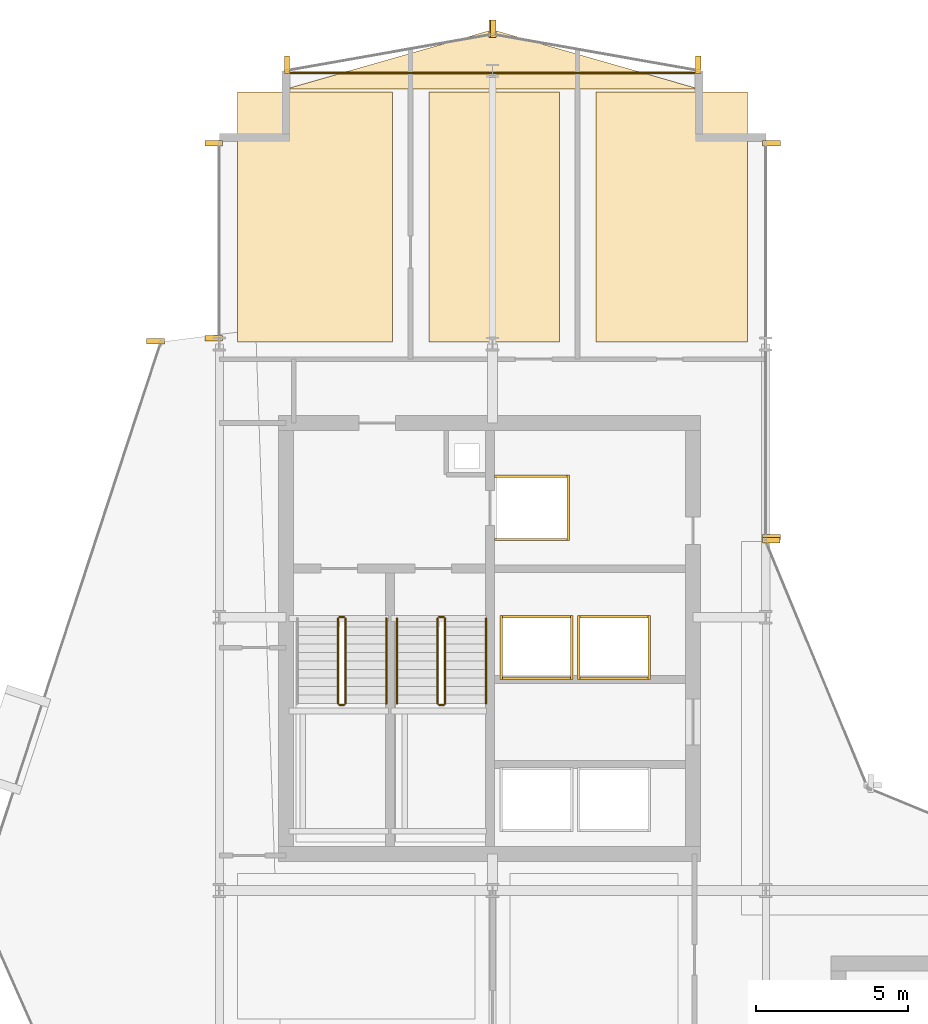
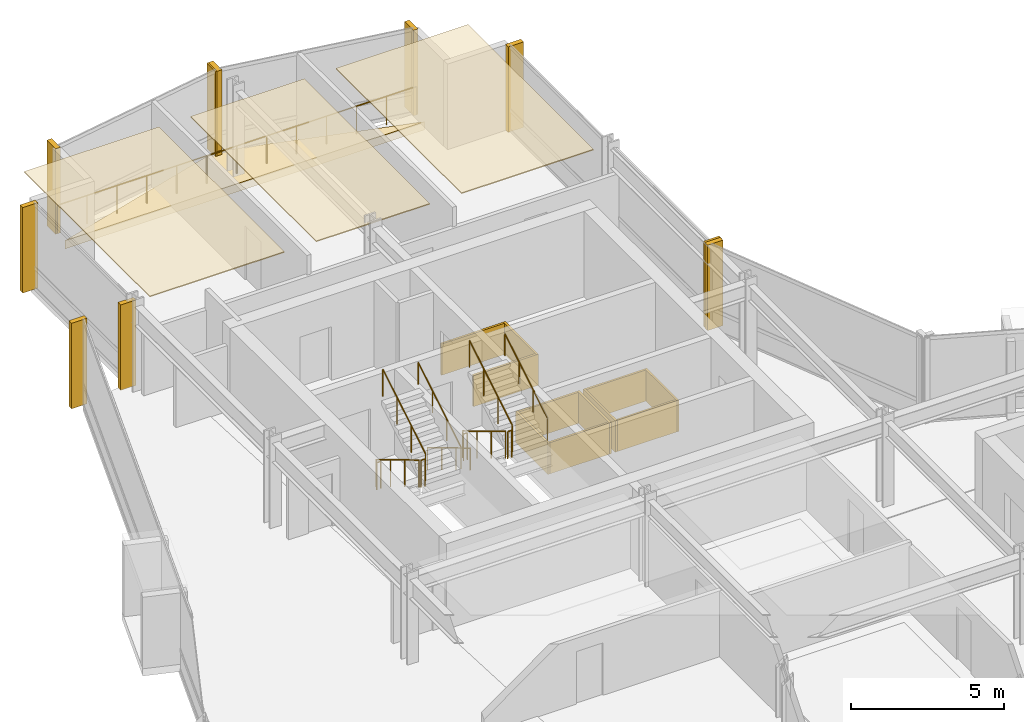
# One storey, part 28 of 28: 25 coverings, 12 railings.
"""IFC4 building model written with IfcOpenShell, lengths in metres."""

from ifc_helpers import new_model, si_unit, direction, frame, origin, origin_2d, place, context, subcontext, project, spatial, polyline, rectangle, circle, outline, extrude, material, layer, layer_set, type_object, element, save


model = new_model("IFC4")

# Units and contexts
model_context = context("Model", 3, precision=1e-05, world=origin(), true_north=direction((0.0, 1.0)))
body_context = subcontext(model_context, "Body", "Model", "MODEL_VIEW")
ifc_project = project(units=[si_unit("LENGTHUNIT", "METRE"), si_unit("AREAUNIT", "SQUARE_METRE"), si_unit("VOLUMEUNIT", "CUBIC_METRE"), si_unit("PLANEANGLEUNIT", "RADIAN"), si_unit("MASSUNIT", "GRAM", prefix="KILO")], contexts=[model_context])

# Site, building, storey
site_placement = place(None, origin())
site = spatial("IfcSite", under=ifc_project, at=site_placement, CompositionType="ELEMENT")
building_placement = place(site_placement, origin())
building = spatial("IfcBuilding", under=site, at=building_placement, Name="Solvaryn Broadcast Tower", CompositionType="ELEMENT")
storey_placement = place(building_placement, frame((0.0, 0.0, 135.89990234375)))
storey = spatial("IfcBuildingStorey", under=building, at=storey_placement, Name="L33", CompositionType="ELEMENT", Elevation=135.89990234375)

# Coverings
ifc_material_1 = material(Name="Micro-Perforated Acoustic Gypsum Ceiling", Category="concrete")
ifc_layer_1 = layer(ifc_material_1, 0.0400390625)
ifc_layer_set_1 = layer_set([ifc_layer_1], Name="CV-CEIL-ACOUSTIC")
covering_type_1 = type_object("IfcCoveringType", Name="CV-CEIL-ACOUSTIC", PredefinedType="CEILING", material=ifc_layer_set_1)
covering_1_placement = place(storey_placement, frame((0.0, 0.0, 3.380126953125)))
element("IfcCovering", 1, at=covering_1_placement, inside=storey, type_object=covering_type_1, Name="L33 Room Acoustic Ceiling 8", PredefinedType="CEILING", context=body_context, shape_type="SweptSolid", body=[
    extrude(outline(polyline([(9.60009765625, 45.070068359375), (14.699951171875, 45.070068359375), (14.699951171875, 53.300048828125), (9.60009765625, 53.300048828125), (9.60009765625, 45.070068359375)])), origin(), (0.0, 0.0, 1.0), 0.0400390625),
])
covering_2_placement = place(storey_placement, frame((0.0, 0.0, 3.380126953125)))
element("IfcCovering", 2, at=covering_2_placement, inside=storey, type_object=covering_type_1, Name="L33 Room Acoustic Ceiling 9", PredefinedType="CEILING", context=body_context, shape_type="SweptSolid", body=[
    extrude(outline(polyline([(15.89990234375, 45.070068359375), (20.199951171875, 45.070068359375), (20.199951171875, 53.300048828125), (15.89990234375, 53.300048828125), (15.89990234375, 45.070068359375)])), origin(), (0.0, 0.0, 1.0), 0.0400390625),
])
covering_3_placement = place(storey_placement, frame((0.0, 0.0, 3.380126953125)))
element("IfcCovering", 3, at=covering_3_placement, inside=storey, type_object=covering_type_1, Name="L33 Room Acoustic Ceiling 10", PredefinedType="CEILING", context=body_context, shape_type="SweptSolid", body=[
    extrude(outline(polyline([(21.39990234375, 45.070068359375), (26.39990234375, 45.070068359375), (26.39990234375, 53.300048828125), (21.39990234375, 53.300048828125), (21.39990234375, 45.070068359375)])), origin(), (0.0, 0.0, 1.0), 0.0400390625),
])
ifc_material_2 = material(Name="Fire-Rated Gypsum Shaftwall Liner", Category="concrete")
ifc_layer_2 = layer(ifc_material_2, 0.080078125)
ifc_layer_set_2 = layer_set([ifc_layer_2], Name="CV-SHAFT-LINER")
covering_type_2 = type_object("IfcCoveringType", Name="CV-SHAFT-LINER", PredefinedType="CLADDING", material=ifc_layer_set_2)
for number, where, z_axis, x_axis, name in (
    (4, (19.300048828125, 40.639892578125, 0.0), (0.0, 0.0, 1.0), (1.0, 0.0, 0.0), "L33 FL1 Hoistway Shaft Liner North"),
    (5, (19.300048828125, 38.56005859375, 0.0), (0.0, 0.0, 1.0), (1.0, 0.0, 0.0), "L33 FL1 Hoistway Shaft Liner South"),
):
    element("IfcCovering", number, at=place(storey_placement, frame(where, z_axis=z_axis, x_axis=x_axis)), inside=storey, type_object=covering_type_2, Name=name, PredefinedType="CLADDING", context=body_context, shape_type="SweptSolid", body=[
        extrude(rectangle(XDim=2.4599609375, YDim=0.080078125, at=origin_2d()), origin(), (0.0, 0.0, 1.0), 1.25),
    ])
covering_4_placement = place(storey_placement, frame((20.489990234375, 39.60009765625, 0.0), z_axis=(0.0, 0.0, 1.0), x_axis=(1.0, 0.0, 0.0)))
element("IfcCovering", 6, at=covering_4_placement, inside=storey, type_object=covering_type_2, Name="L33 FL1 Hoistway Shaft Liner East", PredefinedType="CLADDING", context=body_context, shape_type="SweptSolid", body=[
    extrude(rectangle(XDim=0.080078125, YDim=2.159912109375, at=origin_2d()), origin(), (0.0, 0.0, 1.0), 1.25),
])
for number, where, z_axis, x_axis, name in (
    (7, (19.449951171875, 36.014892578125, 0.0), (0.0, 0.0, 1.0), (1.0, 0.0, 0.0), "L33 PH3 Hoistway Shaft Liner North"),
    (8, (19.449951171875, 33.985107421875, 0.0), (0.0, 0.0, 1.0), (1.0, 0.0, 0.0), "L33 PH3 Hoistway Shaft Liner South"),
):
    element("IfcCovering", number, at=place(storey_placement, frame(where, z_axis=z_axis, x_axis=x_axis)), inside=storey, type_object=covering_type_2, Name=name, PredefinedType="CLADDING", context=body_context, shape_type="SweptSolid", body=[
        extrude(rectangle(XDim=2.409912109375, YDim=0.080078125, at=origin_2d()), origin(), (0.0, 0.0, 1.0), 1.25),
    ])
for number, where, z_axis, x_axis, name in (
    (9, (20.614990234375, 35.0, 0.0), (0.0, 0.0, 1.0), (1.0, 0.0, 0.0), "L33 PH3 Hoistway Shaft Liner East"),
    (10, (18.284912109375, 35.0, 0.0), (0.0, 0.0, 1.0), (1.0, 0.0, 0.0), "L33 PH3 Hoistway Shaft Liner West"),
):
    element("IfcCovering", number, at=place(storey_placement, frame(where, z_axis=z_axis, x_axis=x_axis)), inside=storey, type_object=covering_type_2, Name=name, PredefinedType="CLADDING", context=body_context, shape_type="SweptSolid", body=[
        extrude(rectangle(XDim=0.080078125, YDim=2.110107421875, at=origin_2d()), origin(), (0.0, 0.0, 1.0), 1.25),
    ])
for number, where, z_axis, x_axis, name in (
    (11, (22.0, 36.014892578125, 0.0), (0.0, 0.0, 1.0), (1.0, 0.0, 0.0), "L33 PH4 Hoistway Shaft Liner North"),
    (12, (22.0, 33.985107421875, 0.0), (0.0, 0.0, 1.0), (1.0, 0.0, 0.0), "L33 PH4 Hoistway Shaft Liner South"),
):
    element("IfcCovering", number, at=place(storey_placement, frame(where, z_axis=z_axis, x_axis=x_axis)), inside=storey, type_object=covering_type_2, Name=name, PredefinedType="CLADDING", context=body_context, shape_type="SweptSolid", body=[
        extrude(rectangle(XDim=2.409912109375, YDim=0.080078125, at=origin_2d()), origin(), (0.0, 0.0, 1.0), 1.25),
    ])
for number, where, z_axis, x_axis, name in (
    (13, (23.1650390625, 35.0, 0.0), (0.0, 0.0, 1.0), (1.0, 0.0, 0.0), "L33 PH4 Hoistway Shaft Liner East"),
    (14, (20.8349609375, 35.0, 0.0), (0.0, 0.0, 1.0), (1.0, 0.0, 0.0), "L33 PH4 Hoistway Shaft Liner West"),
):
    element("IfcCovering", number, at=place(storey_placement, frame(where, z_axis=z_axis, x_axis=x_axis)), inside=storey, type_object=covering_type_2, Name=name, PredefinedType="CLADDING", context=body_context, shape_type="SweptSolid", body=[
        extrude(rectangle(XDim=0.080078125, YDim=2.110107421875, at=origin_2d()), origin(), (0.0, 0.0, 1.0), 1.25),
    ])
ifc_material_3 = material(Name="Extruded Architectural Terracotta Fin", Category="masonry")
ifc_layer_3 = layer(ifc_material_3, 0.179931640625)
ifc_layer_set_3 = layer_set([ifc_layer_3], Name="CV-TC-FIN")
covering_type_3 = type_object("IfcCoveringType", Name="CV-TC-FIN", PredefinedType="USERDEFINED", material=ifc_layer_set_3)
for number, where, z_axis, x_axis, name in (
    (15, (6.898681640625, 45.0947265625, 0.000244140625), (0.0, 0.0, 1.0), (1.0, 0.0, 0.0), "L33 Terracotta Vertical Fin FIN-L33-DR1-M00"),
    (16, (8.8125, 45.197021484375, 0.000244140625), (0.0, 0.0, 1.0), (1.0, 0.0, 0.0), "L33 Terracotta Vertical Fin FIN-L33-W2-M00"),
    (17, (8.8125, 51.6201171875, 0.000244140625), (0.0, 0.0, 1.0), (1.0, 0.0, 0.0), "L33 Terracotta Vertical Fin FIN-L33-W2-M01"),
    (18, (27.1875, 51.6201171875, 0.000244140625), (0.0, 0.0, 1.0), (1.0, 0.0, 0.0), "L33 Terracotta Vertical Fin FIN-L33-IV-M00"),
    (19, (27.1875, 38.6298828125, 0.000244140625), (0.0, 0.0, 1.0), (1.0, 0.0, 0.0), "L33 Terracotta Vertical Fin FIN-L33-IV-M01"),
    (20, (27.177978515625, 38.541259765625, 0.000244140625), (0.0, 0.0, 1.0), (1.0, 0.0, 0.0), "L33 Terracotta Vertical Fin FIN-L33-CN2-M01"),
):
    element("IfcCovering", number, at=place(storey_placement, frame(where, z_axis=z_axis, x_axis=x_axis)), inside=storey, type_object=covering_type_3, Name=name, ObjectType="FIN", PredefinedType="USERDEFINED", context=body_context, shape_type="SweptSolid", body=[
        extrude(rectangle(XDim=0.580078125, YDim=0.179931640625, at=origin_2d()), origin(), (0.0, 0.0, 1.0), 3.419921875),
    ])
for number, where, z_axis, x_axis, name in (
    (21, (24.7705078125, 54.192626953125, 0.000244140625), (0.0, 0.0, 1.0), (1.0, 0.0, 0.0), "L33 Terracotta Vertical Fin FIN-L33-NT1-M00"),
    (22, (18.029541015625, 55.38232421875, 0.000244140625), (0.0, 0.0, 1.0), (1.0, 0.0, 0.0), "L33 Terracotta Vertical Fin FIN-L33-NT1-M01"),
    (23, (17.970458984375, 55.38232421875, 0.000244140625), (0.0, 0.0, 1.0), (1.0, 0.0, 0.0), "L33 Terracotta Vertical Fin FIN-L33-NT2-M00"),
    (24, (11.2294921875, 54.192626953125, 0.000244140625), (0.0, 0.0, 1.0), (1.0, 0.0, 0.0), "L33 Terracotta Vertical Fin FIN-L33-NT2-M01"),
):
    element("IfcCovering", number, at=place(storey_placement, frame(where, z_axis=z_axis, x_axis=x_axis)), inside=storey, type_object=covering_type_3, Name=name, ObjectType="FIN", PredefinedType="USERDEFINED", context=body_context, shape_type="SweptSolid", body=[
        extrude(rectangle(XDim=0.179931640625, YDim=0.580078125, at=origin_2d()), origin(), (0.0, 0.0, 1.0), 3.419921875),
    ])
ifc_material_4 = material(Name="Sculpted Architectural Terracotta Wave Fascia", Category="masonry")
ifc_layer_4 = layer(ifc_material_4, 0.340087890625)
ifc_layer_set_4 = layer_set([ifc_layer_4], Name="CV-WAVE-TRAY")
covering_type_4 = type_object("IfcCoveringType", Name="CV-WAVE-TRAY", PredefinedType="CLADDING", material=ifc_layer_set_4)
covering_5_placement = place(storey_placement, frame((0.0, 0.0, -0.2998046875)))
element("IfcCovering", 25, at=covering_5_placement, inside=storey, type_object=covering_type_4, Name="L33 North Curved Wing Deck", PredefinedType="CLADDING", context=body_context, shape_type="SweptSolid", body=[
    extrude(outline(polyline([(11.199951171875, 53.39990234375), (24.800048828125, 53.39990234375), (18.0, 55.35009765625), (11.199951171875, 53.39990234375)])), origin(), (0.0, 0.0, 1.0), 0.329833984375),
])

# Railings
ifc_material_5 = material(Name="Painted Steel Stair Well Guard", Category="steel")
railing_type_1 = type_object("IfcRailingType", Name="RL-STAIR-GUARD", PredefinedType="BALUSTRADE", material=ifc_material_5)
railing_1_placement = place(storey_placement, frame((12.909912109375, 35.9599609375, 0.168212890625)))
element("IfcRailing", 26, at=railing_1_placement, inside=storey, type_object=railing_type_1, Name="L33 ST1 stair guard 1", PredefinedType="BALUSTRADE", context=body_context, shape_type="SweptSolid", body=[
    extrude(circle(Radius=0.02392578125, at=origin_2d()), frame((0.0, 0.0, 1.076171875), z_axis=(0.0, -0.857242210791, 0.514913383045), x_axis=(1.0, 0.0, 0.0)), (0.0, 0.0, 1.0), 3.266357421875),
    extrude(circle(Radius=0.02099609375, at=origin_2d()), origin(), (0.0, 0.0, 1.0), 1.052001953125),
    extrude(circle(Radius=0.02099609375, at=origin_2d()), frame((0.0, -0.933349609375, 0.560546875)), (0.0, 0.0, 1.0), 1.052001953125),
    extrude(circle(Radius=0.02099609375, at=origin_2d()), frame((0.0, -1.86669921875, 1.121337890625)), (0.0, 0.0, 1.0), 1.052001953125),
    extrude(circle(Radius=0.02099609375, at=origin_2d()), frame((0.0, -2.800048828125, 1.681884765625)), (0.0, 0.0, 1.0), 1.052001953125),
])
railing_2_placement = place(storey_placement, frame((12.9599609375, 33.110107421875, 1.85009765625)))
element("IfcRailing", 27, at=railing_2_placement, inside=storey, type_object=railing_type_1, Name="L33 ST1 stair guard 2", PredefinedType="BALUSTRADE", context=body_context, shape_type="SweptSolid", body=[
    extrude(circle(Radius=0.02392578125, at=origin_2d()), frame((0.0, 0.0, 1.076171875), z_axis=(1.0, 0.0, 0.0), x_axis=(0.0, 1.0, 0.0)), (0.0, 0.0, 1.0), 0.150146484375),
    extrude(circle(Radius=0.02099609375, at=origin_2d()), origin(), (0.0, 0.0, 1.0), 1.052001953125),
    extrude(circle(Radius=0.02099609375, at=origin_2d()), frame((0.150146484375, 0.0, 0.0)), (0.0, 0.0, 1.0), 1.052001953125),
])
railing_3_placement = place(storey_placement, frame((13.159912109375, 33.159912109375, 2.018310546875)))
element("IfcRailing", 28, at=railing_3_placement, inside=storey, type_object=railing_type_1, Name="L33 ST1 stair guard 3", PredefinedType="BALUSTRADE", context=body_context, shape_type="SweptSolid", body=[
    extrude(circle(Radius=0.02392578125, at=origin_2d()), frame((0.0, 0.0, 1.076171875), z_axis=(0.0, 0.857242210791, 0.514913383045), x_axis=(-1.0, 0.0, 0.0)), (0.0, 0.0, 1.0), 3.266357421875),
    extrude(circle(Radius=0.02099609375, at=origin_2d()), origin(), (0.0, 0.0, 1.0), 1.052001953125),
    extrude(circle(Radius=0.02099609375, at=origin_2d()), frame((0.0, 0.933349609375, 0.560546875)), (0.0, 0.0, 1.0), 1.052001953125),
    extrude(circle(Radius=0.02099609375, at=origin_2d()), frame((0.0, 1.86669921875, 1.121337890625)), (0.0, 0.0, 1.0), 1.052001953125),
    extrude(circle(Radius=0.02099609375, at=origin_2d()), frame((0.0, 2.800048828125, 1.681884765625)), (0.0, 0.0, 1.0), 1.052001953125),
])
railing_4_placement = place(storey_placement, frame((12.9599609375, 36.010009765625, 0.0)))
element("IfcRailing", 29, at=railing_4_placement, inside=storey, type_object=railing_type_1, Name="L33 ST1 stair guard 4", PredefinedType="BALUSTRADE", context=body_context, shape_type="SweptSolid", body=[
    extrude(circle(Radius=0.02392578125, at=origin_2d()), frame((0.0, 0.0, 1.076171875), z_axis=(1.0, 0.0, 0.0), x_axis=(0.0, 1.0, 0.0)), (0.0, 0.0, 1.0), 0.150146484375),
    extrude(circle(Radius=0.02099609375, at=origin_2d()), origin(), (0.0, 0.0, 1.0), 1.052001953125),
    extrude(circle(Radius=0.02099609375, at=origin_2d()), frame((0.150146484375, 0.0, 0.0)), (0.0, 0.0, 1.0), 1.052001953125),
])
railing_5_placement = place(storey_placement, frame((16.18994140625, 35.9599609375, 0.168212890625)))
element("IfcRailing", 30, at=railing_5_placement, inside=storey, type_object=railing_type_1, Name="L33 ST2 stair guard 1", PredefinedType="BALUSTRADE", context=body_context, shape_type="SweptSolid", body=[
    extrude(circle(Radius=0.02392578125, at=origin_2d()), frame((0.0, 0.0, 1.076171875), z_axis=(0.0, -0.857242210791, 0.514913383045), x_axis=(1.0, 0.0, 0.0)), (0.0, 0.0, 1.0), 3.266357421875),
    extrude(circle(Radius=0.02099609375, at=origin_2d()), origin(), (0.0, 0.0, 1.0), 1.052001953125),
    extrude(circle(Radius=0.02099609375, at=origin_2d()), frame((0.0, -0.933349609375, 0.560546875)), (0.0, 0.0, 1.0), 1.052001953125),
    extrude(circle(Radius=0.02099609375, at=origin_2d()), frame((0.0, -1.86669921875, 1.121337890625)), (0.0, 0.0, 1.0), 1.052001953125),
    extrude(circle(Radius=0.02099609375, at=origin_2d()), frame((0.0, -2.800048828125, 1.681884765625)), (0.0, 0.0, 1.0), 1.052001953125),
])
railing_6_placement = place(storey_placement, frame((16.239990234375, 33.110107421875, 1.85009765625)))
element("IfcRailing", 31, at=railing_6_placement, inside=storey, type_object=railing_type_1, Name="L33 ST2 stair guard 2", PredefinedType="BALUSTRADE", context=body_context, shape_type="SweptSolid", body=[
    extrude(circle(Radius=0.02392578125, at=origin_2d()), frame((0.0, 0.0, 1.076171875), z_axis=(1.0, 0.0, 0.0), x_axis=(0.0, 1.0, 0.0)), (0.0, 0.0, 1.0), 0.14990234375),
    extrude(circle(Radius=0.02099609375, at=origin_2d()), origin(), (0.0, 0.0, 1.0), 1.052001953125),
    extrude(circle(Radius=0.02099609375, at=origin_2d()), frame((0.14990234375, 0.0, 0.0)), (0.0, 0.0, 1.0), 1.052001953125),
])
railing_7_placement = place(storey_placement, frame((16.43994140625, 33.159912109375, 2.018310546875)))
element("IfcRailing", 32, at=railing_7_placement, inside=storey, type_object=railing_type_1, Name="L33 ST2 stair guard 3", PredefinedType="BALUSTRADE", context=body_context, shape_type="SweptSolid", body=[
    extrude(circle(Radius=0.02392578125, at=origin_2d()), frame((0.0, 0.0, 1.076171875), z_axis=(0.0, 0.857242210791, 0.514913383045), x_axis=(-1.0, 0.0, 0.0)), (0.0, 0.0, 1.0), 3.266357421875),
    extrude(circle(Radius=0.02099609375, at=origin_2d()), origin(), (0.0, 0.0, 1.0), 1.052001953125),
    extrude(circle(Radius=0.02099609375, at=origin_2d()), frame((0.0, 0.933349609375, 0.560546875)), (0.0, 0.0, 1.0), 1.052001953125),
    extrude(circle(Radius=0.02099609375, at=origin_2d()), frame((0.0, 1.86669921875, 1.121337890625)), (0.0, 0.0, 1.0), 1.052001953125),
    extrude(circle(Radius=0.02099609375, at=origin_2d()), frame((0.0, 2.800048828125, 1.681884765625)), (0.0, 0.0, 1.0), 1.052001953125),
])
railing_8_placement = place(storey_placement, frame((16.239990234375, 36.010009765625, 0.0)))
element("IfcRailing", 33, at=railing_8_placement, inside=storey, type_object=railing_type_1, Name="L33 ST2 stair guard 4", PredefinedType="BALUSTRADE", context=body_context, shape_type="SweptSolid", body=[
    extrude(circle(Radius=0.02392578125, at=origin_2d()), frame((0.0, 0.0, 1.076171875), z_axis=(1.0, 0.0, 0.0), x_axis=(0.0, 1.0, 0.0)), (0.0, 0.0, 1.0), 0.14990234375),
    extrude(circle(Radius=0.02099609375, at=origin_2d()), origin(), (0.0, 0.0, 1.0), 1.052001953125),
    extrude(circle(Radius=0.02099609375, at=origin_2d()), frame((0.14990234375, 0.0, 0.0)), (0.0, 0.0, 1.0), 1.052001953125),
])
ifc_material_6 = material(Name="Brushed Stainless Steel Tubular Handrail", Category="steel")
railing_type_2 = type_object("IfcRailingType", Name="RL-STAIR-HANDRAIL", PredefinedType="HANDRAIL", material=ifc_material_6)
railing_9_placement = place(storey_placement, frame((14.5, 33.159912109375, 2.018310546875)))
element("IfcRailing", 34, at=railing_9_placement, inside=storey, type_object=railing_type_2, Name="L33 ST1 stair handrail 2", PredefinedType="HANDRAIL", context=body_context, shape_type="SweptSolid", body=[
    extrude(circle(Radius=0.02392578125, at=origin_2d()), frame((0.0, 0.0, 0.8759765625), z_axis=(0.0, 0.857242210791, 0.514913383045), x_axis=(-1.0, 0.0, 0.0)), (0.0, 0.0, 1.0), 3.266357421875),
    extrude(circle(Radius=0.02099609375, at=origin_2d()), origin(), (0.0, 0.0, 1.0), 0.851806640625),
    extrude(circle(Radius=0.02099609375, at=origin_2d()), frame((0.0, 0.933349609375, 0.560546875)), (0.0, 0.0, 1.0), 0.851806640625),
    extrude(circle(Radius=0.02099609375, at=origin_2d()), frame((0.0, 1.86669921875, 1.121337890625)), (0.0, 0.0, 1.0), 0.851806640625),
    extrude(circle(Radius=0.02099609375, at=origin_2d()), frame((0.0, 2.800048828125, 1.681884765625)), (0.0, 0.0, 1.0), 0.851806640625),
])
railing_10_placement = place(storey_placement, frame((14.85009765625, 35.9599609375, 0.168212890625)))
element("IfcRailing", 35, at=railing_10_placement, inside=storey, type_object=railing_type_2, Name="L33 ST2 stair handrail 1", PredefinedType="HANDRAIL", context=body_context, shape_type="SweptSolid", body=[
    extrude(circle(Radius=0.02392578125, at=origin_2d()), frame((0.0, 0.0, 0.8759765625), z_axis=(0.0, -0.857242210791, 0.514913383045), x_axis=(1.0, 0.0, 0.0)), (0.0, 0.0, 1.0), 3.266357421875),
    extrude(circle(Radius=0.02099609375, at=origin_2d()), origin(), (0.0, 0.0, 1.0), 0.851806640625),
    extrude(circle(Radius=0.02099609375, at=origin_2d()), frame((0.0, -0.933349609375, 0.560546875)), (0.0, 0.0, 1.0), 0.851806640625),
    extrude(circle(Radius=0.02099609375, at=origin_2d()), frame((0.0, -1.86669921875, 1.121337890625)), (0.0, 0.0, 1.0), 0.851806640625),
    extrude(circle(Radius=0.02099609375, at=origin_2d()), frame((0.0, -2.800048828125, 1.681884765625)), (0.0, 0.0, 1.0), 0.851806640625),
])
railing_11_placement = place(storey_placement, frame((17.780029296875, 33.159912109375, 2.018310546875)))
element("IfcRailing", 36, at=railing_11_placement, inside=storey, type_object=railing_type_2, Name="L33 ST2 stair handrail 2", PredefinedType="HANDRAIL", context=body_context, shape_type="SweptSolid", body=[
    extrude(circle(Radius=0.02392578125, at=origin_2d()), frame((0.0, 0.0, 0.8759765625), z_axis=(0.0, 0.857242210791, 0.514913383045), x_axis=(-1.0, 0.0, 0.0)), (0.0, 0.0, 1.0), 3.266357421875),
    extrude(circle(Radius=0.02099609375, at=origin_2d()), origin(), (0.0, 0.0, 1.0), 0.851806640625),
    extrude(circle(Radius=0.02099609375, at=origin_2d()), frame((0.0, 0.933349609375, 0.560546875)), (0.0, 0.0, 1.0), 0.851806640625),
    extrude(circle(Radius=0.02099609375, at=origin_2d()), frame((0.0, 1.86669921875, 1.121337890625)), (0.0, 0.0, 1.0), 0.851806640625),
    extrude(circle(Radius=0.02099609375, at=origin_2d()), frame((0.0, 2.800048828125, 1.681884765625)), (0.0, 0.0, 1.0), 0.851806640625),
])
ifc_material_7 = material(Name="Stainless Steel and Laminated Glass Guard", Category="steel")
railing_type_3 = type_object("IfcRailingType", Name="RL-TER-1150", PredefinedType="BALUSTRADE", material=ifc_material_7)
railing_12_placement = place(storey_placement, frame((11.199951171875, 53.919921875, 0.0)))
element("IfcRailing", 37, at=railing_12_placement, inside=storey, type_object=railing_type_3, Name="L33 North Wing Spandrel Edge Guard", PredefinedType="BALUSTRADE", context=body_context, shape_type="SweptSolid", body=[
    extrude(circle(Radius=0.02392578125, at=origin_2d()), frame((0.0, 0.0, 1.1259765625), z_axis=(1.0, 0.0, 0.0), x_axis=(0.0, 1.0, 0.0)), (0.0, 0.0, 1.0), 13.60009765625),
    extrude(circle(Radius=0.02099609375, at=origin_2d()), origin(), (0.0, 0.0, 1.0), 1.101806640625),
    extrude(circle(Radius=0.02099609375, at=origin_2d()), frame((1.13330078125, 0.0, 0.0)), (0.0, 0.0, 1.0), 1.101806640625),
    extrude(circle(Radius=0.02099609375, at=origin_2d()), frame((2.2666015625, 0.0, 0.0)), (0.0, 0.0, 1.0), 1.101806640625),
    extrude(circle(Radius=0.02099609375, at=origin_2d()), frame((3.39990234375, 0.0, 0.0)), (0.0, 0.0, 1.0), 1.101806640625),
    extrude(circle(Radius=0.02099609375, at=origin_2d()), frame((4.533447265625, 0.0, 0.0)), (0.0, 0.0, 1.0), 1.101806640625),
    extrude(circle(Radius=0.02099609375, at=origin_2d()), frame((5.666748046875, 0.0, 0.0)), (0.0, 0.0, 1.0), 1.101806640625),
    extrude(circle(Radius=0.02099609375, at=origin_2d()), frame((6.800048828125, 0.0, 0.0)), (0.0, 0.0, 1.0), 1.101806640625),
    extrude(circle(Radius=0.02099609375, at=origin_2d()), frame((7.933349609375, 0.0, 0.0)), (0.0, 0.0, 1.0), 1.101806640625),
    extrude(circle(Radius=0.02099609375, at=origin_2d()), frame((9.066650390625, 0.0, 0.0)), (0.0, 0.0, 1.0), 1.101806640625),
    extrude(circle(Radius=0.02099609375, at=origin_2d()), frame((10.2001953125, 0.0, 0.0)), (0.0, 0.0, 1.0), 1.101806640625),
    extrude(circle(Radius=0.02099609375, at=origin_2d()), frame((11.33349609375, 0.0, 0.0)), (0.0, 0.0, 1.0), 1.101806640625),
    extrude(circle(Radius=0.02099609375, at=origin_2d()), frame((12.466796875, 0.0, 0.0)), (0.0, 0.0, 1.0), 1.101806640625),
    extrude(circle(Radius=0.02099609375, at=origin_2d()), frame((13.60009765625, 0.0, 0.0)), (0.0, 0.0, 1.0), 1.101806640625),
])

save(model, "model.ifc")
